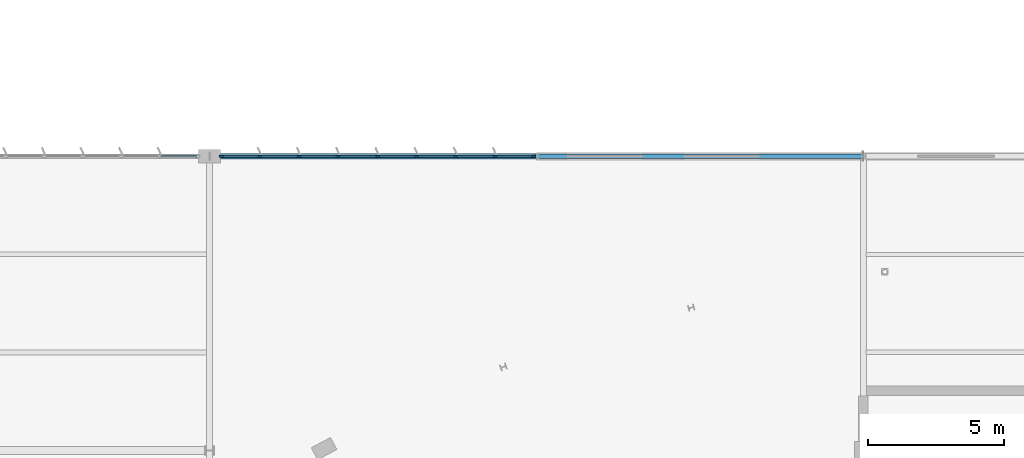
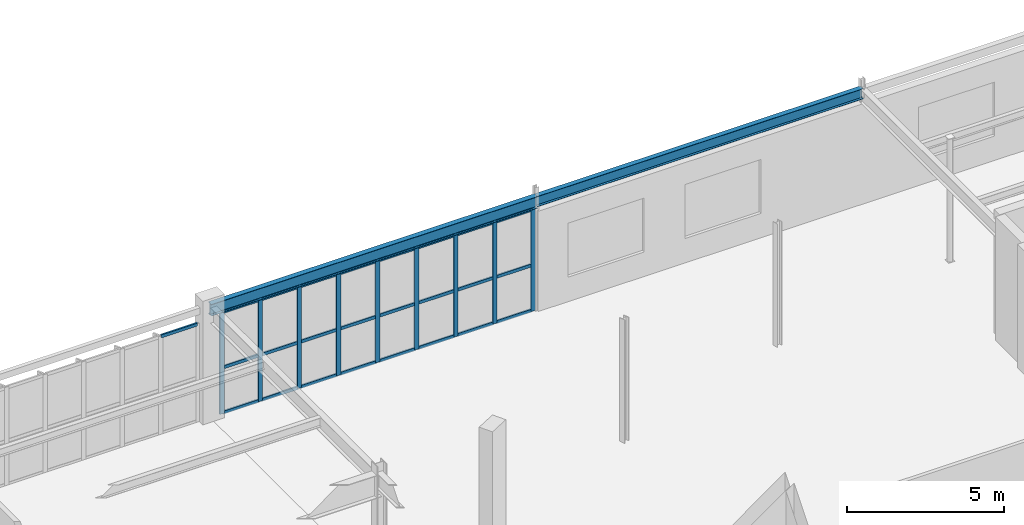
# One storey, part 112 of 199: 34 members, 2 beams, 2 elements without a shape of their own.
"""IFC4 building model written with IfcOpenShell, lengths in metres."""

from ifc_helpers import new_model, si_unit, direction, frame, origin, origin_2d, place, context, subcontext, project, spatial, rectangle, i_section, extrude, material, layer, layer_set, material_profile, profile_set, type_object, element, aggregate, save


model = new_model("IFC4")

# Units and contexts
model_context = context("Model", 3, precision=1e-05, world=origin(), true_north=direction((0.0, 1.0)))
body_context = subcontext(model_context, "Body", "Model", "MODEL_VIEW")
ifc_project = project(units=[si_unit("LENGTHUNIT", "METRE"), si_unit("AREAUNIT", "SQUARE_METRE"), si_unit("VOLUMEUNIT", "CUBIC_METRE"), si_unit("PLANEANGLEUNIT", "RADIAN"), si_unit("MASSUNIT", "GRAM", prefix="KILO")], contexts=[model_context])

# Site, building, storey
site_placement = place(None, origin())
site = spatial("IfcSite", under=ifc_project, at=site_placement, CompositionType="ELEMENT")
building_placement = place(site_placement, origin())
building = spatial("IfcBuilding", under=site, at=building_placement, Name="Tarnwether General Hospital", CompositionType="ELEMENT")
storey_placement = place(building_placement, origin())
storey = spatial("IfcBuildingStorey", under=building, at=storey_placement, Name="L00", CompositionType="ELEMENT", Elevation=0.0)

# Beams
ifc_material_1 = material(Name="Steel Grade 350 (350 MPa)", Category="steel")
ifc_material_profile_1 = material_profile(ifc_material_1, i_section(OverallWidth=0.18994140625, OverallDepth=0.4541015625, WebThickness=0.008544921875, FlangeThickness=0.0126953125, at=origin_2d()), Name="460UB67.1")
ifc_profile_set_1 = profile_set([ifc_material_profile_1], Name="Steel Grade 350 (350 MPa)")
beam_type_1 = type_object("IfcBeamType", Name="BM-SP1", PredefinedType="SPANDREL", material=ifc_profile_set_1)
beam_1_placement = place(storey_placement, frame((60.0, 126.0, 4.218017578125), z_axis=(1.0, 0.0, 0.0), x_axis=(0.0, 1.0, 0.0)))
element("IfcBeam", 1, at=beam_1_placement, inside=storey, type_object=beam_type_1, Name="Primary Girder BMG-L00-6000_12600-7200_12600-0708", PredefinedType="SPANDREL", context=body_context, shape_type="SweptSolid", body=[
    extrude(i_section(OverallWidth=0.18994140625, OverallDepth=0.4541015625, WebThickness=0.008544921875, FlangeThickness=0.0126953125, at=origin_2d()), origin(), (0.0, 0.0, 1.0), 12.0),
])
ifc_material_2 = material(Name="Steel Grade 350 (350 MPa)", Category="steel")
ifc_material_profile_2 = material_profile(ifc_material_2, i_section(OverallWidth=0.177978515625, OverallDepth=0.403076171875, WebThickness=0.007568359375, FlangeThickness=0.010986328125, at=origin_2d()), Name="410UB53.7")
ifc_profile_set_2 = profile_set([ifc_material_profile_2], Name="Steel Grade 350 (350 MPa)")
beam_type_2 = type_object("IfcBeamType", Name="BM-SP2", PredefinedType="SPANDREL", material=ifc_profile_set_2)
beam_2_placement = place(storey_placement, frame((72.0, 126.0, 4.243408203125), z_axis=(1.0, 0.0, 0.0), x_axis=(0.0, 1.0, 0.0)))
element("IfcBeam", 2, at=beam_2_placement, inside=storey, type_object=beam_type_2, Name="Primary Girder BMG-L00-7200_12600-8400_12600-0716", PredefinedType="SPANDREL", context=body_context, shape_type="SweptSolid", body=[
    extrude(i_section(OverallWidth=0.177978515625, OverallDepth=0.403076171875, WebThickness=0.007568359375, FlangeThickness=0.010986328125, at=origin_2d()), origin(), (0.0, 0.0, 1.0), 12.0),
])

# Curtain wall, members
ifc_material_3 = material(Name="Anodised aluminium", Category="aluminium")
ifc_layer = layer(ifc_material_3, 0.159912109375)
ifc_layer_set = layer_set([ifc_layer], Name="Anodised aluminium")
curtain_wall_type = type_object("IfcCurtainWallType", Name="CW-12", PredefinedType="NOTDEFINED", material=ifc_layer_set)
curtain_wall_1_placement = place(storey_placement, origin())
curtain_wall_1 = element("IfcCurtainWall", 3, at=curtain_wall_1_placement, inside=storey, type_object=curtain_wall_type, Name="Curtain Wall CWG-L00-604_1260-0275", PredefinedType="NOTDEFINED")
ifc_material_4 = material(Name="Anodised aluminium", Category="aluminium")
ifc_material_profile_3 = material_profile(ifc_material_4, rectangle(XDim=0.06005859375, YDim=0.159912109375, at=origin_2d()), Name="ALU-MUL-60x160")
ifc_profile_set_3 = profile_set([ifc_material_profile_3], Name="Anodised aluminium")
member_type_1 = type_object("IfcMemberType", Name="CW-ML1", PredefinedType="MULLION", material=ifc_profile_set_3)
member_1_placement = place(storey_placement, frame((60.43798828125, 126.0, 0.0), z_axis=(0.0, 0.0, 1.0), x_axis=(0.0, 1.0, 0.0)))
member_1 = element("IfcMember", 4, at=member_1_placement, type_object=member_type_1, Name="CW-12 mullion 1", PredefinedType="MULLION", context=body_context, shape_type="SweptSolid", body=[
    extrude(rectangle(XDim=0.06005859375, YDim=0.159912109375, at=origin_2d()), origin(), (0.0, 0.0, 1.0), 3.97607421875),
])
member_2_placement = place(storey_placement, frame((61.846435546875, 126.0, 0.0), z_axis=(0.0, 0.0, 1.0), x_axis=(0.0, 1.0, 0.0)))
member_2 = element("IfcMember", 5, at=member_2_placement, type_object=member_type_1, Name="CW-12 mullion 2", PredefinedType="MULLION", context=body_context, shape_type="SweptSolid", body=[
    extrude(rectangle(XDim=0.06005859375, YDim=0.159912109375, at=origin_2d()), origin(), (0.0, 0.0, 1.0), 3.97607421875),
])
member_3_placement = place(storey_placement, frame((63.284912109375, 126.0, 0.0), z_axis=(0.0, 0.0, 1.0), x_axis=(0.0, 1.0, 0.0)))
member_3 = element("IfcMember", 6, at=member_3_placement, type_object=member_type_1, Name="CW-12 mullion 3", PredefinedType="MULLION", context=body_context, shape_type="SweptSolid", body=[
    extrude(rectangle(XDim=0.06005859375, YDim=0.159912109375, at=origin_2d()), origin(), (0.0, 0.0, 1.0), 3.97607421875),
])
member_4_placement = place(storey_placement, frame((64.723388671875, 126.0, 0.0), z_axis=(0.0, 0.0, 1.0), x_axis=(0.0, 1.0, 0.0)))
member_4 = element("IfcMember", 7, at=member_4_placement, type_object=member_type_1, Name="CW-12 mullion 4", PredefinedType="MULLION", context=body_context, shape_type="SweptSolid", body=[
    extrude(rectangle(XDim=0.06005859375, YDim=0.159912109375, at=origin_2d()), origin(), (0.0, 0.0, 1.0), 3.97607421875),
])
member_5_placement = place(storey_placement, frame((66.162109375, 126.0, 0.0), z_axis=(0.0, 0.0, 1.0), x_axis=(0.0, 1.0, 0.0)))
member_5 = element("IfcMember", 8, at=member_5_placement, type_object=member_type_1, Name="CW-12 mullion 5", PredefinedType="MULLION", context=body_context, shape_type="SweptSolid", body=[
    extrude(rectangle(XDim=0.06005859375, YDim=0.159912109375, at=origin_2d()), origin(), (0.0, 0.0, 1.0), 3.97607421875),
])
member_6_placement = place(storey_placement, frame((67.6005859375, 126.0, 0.0), z_axis=(0.0, 0.0, 1.0), x_axis=(0.0, 1.0, 0.0)))
member_6 = element("IfcMember", 9, at=member_6_placement, type_object=member_type_1, Name="CW-12 mullion 6", PredefinedType="MULLION", context=body_context, shape_type="SweptSolid", body=[
    extrude(rectangle(XDim=0.06005859375, YDim=0.159912109375, at=origin_2d()), origin(), (0.0, 0.0, 1.0), 3.97607421875),
])
member_7_placement = place(storey_placement, frame((69.0390625, 126.0, 0.0), z_axis=(0.0, 0.0, 1.0), x_axis=(0.0, 1.0, 0.0)))
member_7 = element("IfcMember", 10, at=member_7_placement, type_object=member_type_1, Name="CW-12 mullion 7", PredefinedType="MULLION", context=body_context, shape_type="SweptSolid", body=[
    extrude(rectangle(XDim=0.06005859375, YDim=0.159912109375, at=origin_2d()), origin(), (0.0, 0.0, 1.0), 3.97607421875),
])
member_8_placement = place(storey_placement, frame((70.4775390625, 126.0, 0.0), z_axis=(0.0, 0.0, 1.0), x_axis=(0.0, 1.0, 0.0)))
member_8 = element("IfcMember", 11, at=member_8_placement, type_object=member_type_1, Name="CW-12 mullion 8", PredefinedType="MULLION", context=body_context, shape_type="SweptSolid", body=[
    extrude(rectangle(XDim=0.06005859375, YDim=0.159912109375, at=origin_2d()), origin(), (0.0, 0.0, 1.0), 3.97607421875),
])
member_9_placement = place(storey_placement, frame((71.885986328125, 126.0, 0.0), z_axis=(0.0, 0.0, 1.0), x_axis=(0.0, 1.0, 0.0)))
member_9 = element("IfcMember", 12, at=member_9_placement, type_object=member_type_1, Name="CW-12 mullion 9", PredefinedType="MULLION", context=body_context, shape_type="SweptSolid", body=[
    extrude(rectangle(XDim=0.06005859375, YDim=0.159912109375, at=origin_2d()), origin(), (0.0, 0.0, 1.0), 3.97607421875),
])

# Curtain wall, member
curtain_wall_2_placement = place(storey_placement, origin())
curtain_wall_2 = element("IfcCurtainWall", 13, at=curtain_wall_2_placement, inside=storey, type_object=curtain_wall_type, Name="Curtain Wall CWG-L00-483_1260-0274", PredefinedType="NOTDEFINED")
ifc_material_5 = material(Name="Anodised aluminium", Category="aluminium")
ifc_material_profile_4 = material_profile(ifc_material_5, rectangle(XDim=0.06005859375, YDim=0.1201171875, at=origin_2d()), Name="ALU-TRN-60x120")
ifc_profile_set_4 = profile_set([ifc_material_profile_4], Name="Anodised aluminium")
member_type_2 = type_object("IfcMemberType", Name="CW-TR1", PredefinedType="USERDEFINED", material=ifc_profile_set_4)
member_10_placement = place(storey_placement, frame((58.205322265625, 126.0, 3.79296875), z_axis=(1.0, 0.0, 0.0), x_axis=(0.0, 1.0, 0.0)))
member_10 = element("IfcMember", 14, at=member_10_placement, type_object=member_type_2, Name="CW-12 transom 8.3", ObjectType="TRANSOM", PredefinedType="USERDEFINED", context=body_context, shape_type="SweptSolid", body=[
    extrude(rectangle(XDim=0.06005859375, YDim=0.1201171875, at=origin_2d()), origin(), (0.0, 0.0, 1.0), 1.32666015625),
])
aggregate(curtain_wall_2, [member_10])

# Member
member_11_placement = place(storey_placement, frame((60.468017578125, 126.0, 0.030029296875), z_axis=(1.0, 0.0, 0.0), x_axis=(0.0, 1.0, 0.0)))
member_11 = element("IfcMember", 15, at=member_11_placement, type_object=member_type_2, Name="CW-12 transom 1.1", ObjectType="TRANSOM", PredefinedType="USERDEFINED", context=body_context, shape_type="SweptSolid", body=[
    extrude(rectangle(XDim=0.06005859375, YDim=0.1201171875, at=origin_2d()), origin(), (0.0, 0.0, 1.0), 1.348388671875),
])

member_12_placement = place(storey_placement, frame((60.468017578125, 126.0, 1.789306640625), z_axis=(1.0, 0.0, 0.0), x_axis=(0.0, 1.0, 0.0)))
member_12 = element("IfcMember", 16, at=member_12_placement, type_object=member_type_2, Name="CW-12 transom 1.2", ObjectType="TRANSOM", PredefinedType="USERDEFINED", context=body_context, shape_type="SweptSolid", body=[
    extrude(rectangle(XDim=0.06005859375, YDim=0.1201171875, at=origin_2d()), origin(), (0.0, 0.0, 1.0), 1.348388671875),
])

member_13_placement = place(storey_placement, frame((60.468017578125, 126.0, 3.946044921875), z_axis=(1.0, 0.0, 0.0), x_axis=(0.0, 1.0, 0.0)))
member_13 = element("IfcMember", 17, at=member_13_placement, type_object=member_type_2, Name="CW-12 transom 1.3", ObjectType="TRANSOM", PredefinedType="USERDEFINED", context=body_context, shape_type="SweptSolid", body=[
    extrude(rectangle(XDim=0.06005859375, YDim=0.1201171875, at=origin_2d()), origin(), (0.0, 0.0, 1.0), 1.348388671875),
])

member_14_placement = place(storey_placement, frame((61.87646484375, 126.0, 0.030029296875), z_axis=(1.0, 0.0, 0.0), x_axis=(0.0, 1.0, 0.0)))
member_14 = element("IfcMember", 18, at=member_14_placement, type_object=member_type_2, Name="CW-12 transom 2.1", ObjectType="TRANSOM", PredefinedType="USERDEFINED", context=body_context, shape_type="SweptSolid", body=[
    extrude(rectangle(XDim=0.06005859375, YDim=0.1201171875, at=origin_2d()), origin(), (0.0, 0.0, 1.0), 1.37841796875),
])

member_15_placement = place(storey_placement, frame((61.87646484375, 126.0, 1.789306640625), z_axis=(1.0, 0.0, 0.0), x_axis=(0.0, 1.0, 0.0)))
member_15 = element("IfcMember", 19, at=member_15_placement, type_object=member_type_2, Name="CW-12 transom 2.2", ObjectType="TRANSOM", PredefinedType="USERDEFINED", context=body_context, shape_type="SweptSolid", body=[
    extrude(rectangle(XDim=0.06005859375, YDim=0.1201171875, at=origin_2d()), origin(), (0.0, 0.0, 1.0), 1.37841796875),
])

member_16_placement = place(storey_placement, frame((61.87646484375, 126.0, 3.946044921875), z_axis=(1.0, 0.0, 0.0), x_axis=(0.0, 1.0, 0.0)))
member_16 = element("IfcMember", 20, at=member_16_placement, type_object=member_type_2, Name="CW-12 transom 2.3", ObjectType="TRANSOM", PredefinedType="USERDEFINED", context=body_context, shape_type="SweptSolid", body=[
    extrude(rectangle(XDim=0.06005859375, YDim=0.1201171875, at=origin_2d()), origin(), (0.0, 0.0, 1.0), 1.37841796875),
])

member_17_placement = place(storey_placement, frame((63.31494140625, 126.0, 0.030029296875), z_axis=(1.0, 0.0, 0.0), x_axis=(0.0, 1.0, 0.0)))
member_17 = element("IfcMember", 21, at=member_17_placement, type_object=member_type_2, Name="CW-12 transom 3.1", ObjectType="TRANSOM", PredefinedType="USERDEFINED", context=body_context, shape_type="SweptSolid", body=[
    extrude(rectangle(XDim=0.06005859375, YDim=0.1201171875, at=origin_2d()), origin(), (0.0, 0.0, 1.0), 1.378662109375),
])

member_18_placement = place(storey_placement, frame((63.31494140625, 126.0, 1.789306640625), z_axis=(1.0, 0.0, 0.0), x_axis=(0.0, 1.0, 0.0)))
member_18 = element("IfcMember", 22, at=member_18_placement, type_object=member_type_2, Name="CW-12 transom 3.2", ObjectType="TRANSOM", PredefinedType="USERDEFINED", context=body_context, shape_type="SweptSolid", body=[
    extrude(rectangle(XDim=0.06005859375, YDim=0.1201171875, at=origin_2d()), origin(), (0.0, 0.0, 1.0), 1.378662109375),
])

member_19_placement = place(storey_placement, frame((63.31494140625, 126.0, 3.946044921875), z_axis=(1.0, 0.0, 0.0), x_axis=(0.0, 1.0, 0.0)))
member_19 = element("IfcMember", 23, at=member_19_placement, type_object=member_type_2, Name="CW-12 transom 3.3", ObjectType="TRANSOM", PredefinedType="USERDEFINED", context=body_context, shape_type="SweptSolid", body=[
    extrude(rectangle(XDim=0.06005859375, YDim=0.1201171875, at=origin_2d()), origin(), (0.0, 0.0, 1.0), 1.378662109375),
])

member_20_placement = place(storey_placement, frame((64.75341796875, 126.0, 0.030029296875), z_axis=(1.0, 0.0, 0.0), x_axis=(0.0, 1.0, 0.0)))
member_20 = element("IfcMember", 24, at=member_20_placement, type_object=member_type_2, Name="CW-12 transom 4.1", ObjectType="TRANSOM", PredefinedType="USERDEFINED", context=body_context, shape_type="SweptSolid", body=[
    extrude(rectangle(XDim=0.06005859375, YDim=0.1201171875, at=origin_2d()), origin(), (0.0, 0.0, 1.0), 1.378662109375),
])

member_21_placement = place(storey_placement, frame((64.75341796875, 126.0, 1.789306640625), z_axis=(1.0, 0.0, 0.0), x_axis=(0.0, 1.0, 0.0)))
member_21 = element("IfcMember", 25, at=member_21_placement, type_object=member_type_2, Name="CW-12 transom 4.2", ObjectType="TRANSOM", PredefinedType="USERDEFINED", context=body_context, shape_type="SweptSolid", body=[
    extrude(rectangle(XDim=0.06005859375, YDim=0.1201171875, at=origin_2d()), origin(), (0.0, 0.0, 1.0), 1.378662109375),
])

member_22_placement = place(storey_placement, frame((64.75341796875, 126.0, 3.946044921875), z_axis=(1.0, 0.0, 0.0), x_axis=(0.0, 1.0, 0.0)))
member_22 = element("IfcMember", 26, at=member_22_placement, type_object=member_type_2, Name="CW-12 transom 4.3", ObjectType="TRANSOM", PredefinedType="USERDEFINED", context=body_context, shape_type="SweptSolid", body=[
    extrude(rectangle(XDim=0.06005859375, YDim=0.1201171875, at=origin_2d()), origin(), (0.0, 0.0, 1.0), 1.378662109375),
])

member_23_placement = place(storey_placement, frame((66.19189453125, 126.0, 0.030029296875), z_axis=(1.0, 0.0, 0.0), x_axis=(0.0, 1.0, 0.0)))
member_23 = element("IfcMember", 27, at=member_23_placement, type_object=member_type_2, Name="CW-12 transom 5.1", ObjectType="TRANSOM", PredefinedType="USERDEFINED", context=body_context, shape_type="SweptSolid", body=[
    extrude(rectangle(XDim=0.06005859375, YDim=0.1201171875, at=origin_2d()), origin(), (0.0, 0.0, 1.0), 1.378662109375),
])

member_24_placement = place(storey_placement, frame((66.19189453125, 126.0, 1.789306640625), z_axis=(1.0, 0.0, 0.0), x_axis=(0.0, 1.0, 0.0)))
member_24 = element("IfcMember", 28, at=member_24_placement, type_object=member_type_2, Name="CW-12 transom 5.2", ObjectType="TRANSOM", PredefinedType="USERDEFINED", context=body_context, shape_type="SweptSolid", body=[
    extrude(rectangle(XDim=0.06005859375, YDim=0.1201171875, at=origin_2d()), origin(), (0.0, 0.0, 1.0), 1.378662109375),
])

member_25_placement = place(storey_placement, frame((66.19189453125, 126.0, 3.946044921875), z_axis=(1.0, 0.0, 0.0), x_axis=(0.0, 1.0, 0.0)))
member_25 = element("IfcMember", 29, at=member_25_placement, type_object=member_type_2, Name="CW-12 transom 5.3", ObjectType="TRANSOM", PredefinedType="USERDEFINED", context=body_context, shape_type="SweptSolid", body=[
    extrude(rectangle(XDim=0.06005859375, YDim=0.1201171875, at=origin_2d()), origin(), (0.0, 0.0, 1.0), 1.378662109375),
])

member_26_placement = place(storey_placement, frame((67.630615234375, 126.0, 0.030029296875), z_axis=(1.0, 0.0, 0.0), x_axis=(0.0, 1.0, 0.0)))
member_26 = element("IfcMember", 30, at=member_26_placement, type_object=member_type_2, Name="CW-12 transom 6.1", ObjectType="TRANSOM", PredefinedType="USERDEFINED", context=body_context, shape_type="SweptSolid", body=[
    extrude(rectangle(XDim=0.06005859375, YDim=0.1201171875, at=origin_2d()), origin(), (0.0, 0.0, 1.0), 1.37841796875),
])

member_27_placement = place(storey_placement, frame((67.630615234375, 126.0, 1.789306640625), z_axis=(1.0, 0.0, 0.0), x_axis=(0.0, 1.0, 0.0)))
member_27 = element("IfcMember", 31, at=member_27_placement, type_object=member_type_2, Name="CW-12 transom 6.2", ObjectType="TRANSOM", PredefinedType="USERDEFINED", context=body_context, shape_type="SweptSolid", body=[
    extrude(rectangle(XDim=0.06005859375, YDim=0.1201171875, at=origin_2d()), origin(), (0.0, 0.0, 1.0), 1.37841796875),
])

member_28_placement = place(storey_placement, frame((67.630615234375, 126.0, 3.946044921875), z_axis=(1.0, 0.0, 0.0), x_axis=(0.0, 1.0, 0.0)))
member_28 = element("IfcMember", 32, at=member_28_placement, type_object=member_type_2, Name="CW-12 transom 6.3", ObjectType="TRANSOM", PredefinedType="USERDEFINED", context=body_context, shape_type="SweptSolid", body=[
    extrude(rectangle(XDim=0.06005859375, YDim=0.1201171875, at=origin_2d()), origin(), (0.0, 0.0, 1.0), 1.37841796875),
])

member_29_placement = place(storey_placement, frame((69.069091796875, 126.0, 0.030029296875), z_axis=(1.0, 0.0, 0.0), x_axis=(0.0, 1.0, 0.0)))
member_29 = element("IfcMember", 33, at=member_29_placement, type_object=member_type_2, Name="CW-12 transom 7.1", ObjectType="TRANSOM", PredefinedType="USERDEFINED", context=body_context, shape_type="SweptSolid", body=[
    extrude(rectangle(XDim=0.06005859375, YDim=0.1201171875, at=origin_2d()), origin(), (0.0, 0.0, 1.0), 1.37841796875),
])

member_30_placement = place(storey_placement, frame((69.069091796875, 126.0, 1.789306640625), z_axis=(1.0, 0.0, 0.0), x_axis=(0.0, 1.0, 0.0)))
member_30 = element("IfcMember", 34, at=member_30_placement, type_object=member_type_2, Name="CW-12 transom 7.2", ObjectType="TRANSOM", PredefinedType="USERDEFINED", context=body_context, shape_type="SweptSolid", body=[
    extrude(rectangle(XDim=0.06005859375, YDim=0.1201171875, at=origin_2d()), origin(), (0.0, 0.0, 1.0), 1.37841796875),
])

member_31_placement = place(storey_placement, frame((69.069091796875, 126.0, 3.946044921875), z_axis=(1.0, 0.0, 0.0), x_axis=(0.0, 1.0, 0.0)))
member_31 = element("IfcMember", 35, at=member_31_placement, type_object=member_type_2, Name="CW-12 transom 7.3", ObjectType="TRANSOM", PredefinedType="USERDEFINED", context=body_context, shape_type="SweptSolid", body=[
    extrude(rectangle(XDim=0.06005859375, YDim=0.1201171875, at=origin_2d()), origin(), (0.0, 0.0, 1.0), 1.37841796875),
])

member_32_placement = place(storey_placement, frame((70.507568359375, 126.0, 0.030029296875), z_axis=(1.0, 0.0, 0.0), x_axis=(0.0, 1.0, 0.0)))
member_32 = element("IfcMember", 36, at=member_32_placement, type_object=member_type_2, Name="CW-12 transom 8.1", ObjectType="TRANSOM", PredefinedType="USERDEFINED", context=body_context, shape_type="SweptSolid", body=[
    extrude(rectangle(XDim=0.06005859375, YDim=0.1201171875, at=origin_2d()), origin(), (0.0, 0.0, 1.0), 1.348388671875),
])

member_33_placement = place(storey_placement, frame((70.507568359375, 126.0, 1.789306640625), z_axis=(1.0, 0.0, 0.0), x_axis=(0.0, 1.0, 0.0)))
member_33 = element("IfcMember", 37, at=member_33_placement, type_object=member_type_2, Name="CW-12 transom 8.2", ObjectType="TRANSOM", PredefinedType="USERDEFINED", context=body_context, shape_type="SweptSolid", body=[
    extrude(rectangle(XDim=0.06005859375, YDim=0.1201171875, at=origin_2d()), origin(), (0.0, 0.0, 1.0), 1.348388671875),
])

member_34_placement = place(storey_placement, frame((70.507568359375, 126.0, 3.946044921875), z_axis=(1.0, 0.0, 0.0), x_axis=(0.0, 1.0, 0.0)))
member_34 = element("IfcMember", 38, at=member_34_placement, type_object=member_type_2, Name="CW-12 transom 8.3", ObjectType="TRANSOM", PredefinedType="USERDEFINED", context=body_context, shape_type="SweptSolid", body=[
    extrude(rectangle(XDim=0.06005859375, YDim=0.1201171875, at=origin_2d()), origin(), (0.0, 0.0, 1.0), 1.348388671875),
])

aggregate(curtain_wall_1, [member_1, member_2, member_3, member_4, member_5, member_6, member_7, member_8, member_9, member_11, member_12, member_13, member_14, member_15, member_16, member_17, member_18, member_19, member_20, member_21, member_22, member_23, member_24, member_25, member_26, member_27, member_28, member_29, member_30, member_31, member_32, member_33, member_34])

save(model, "model.ifc")
